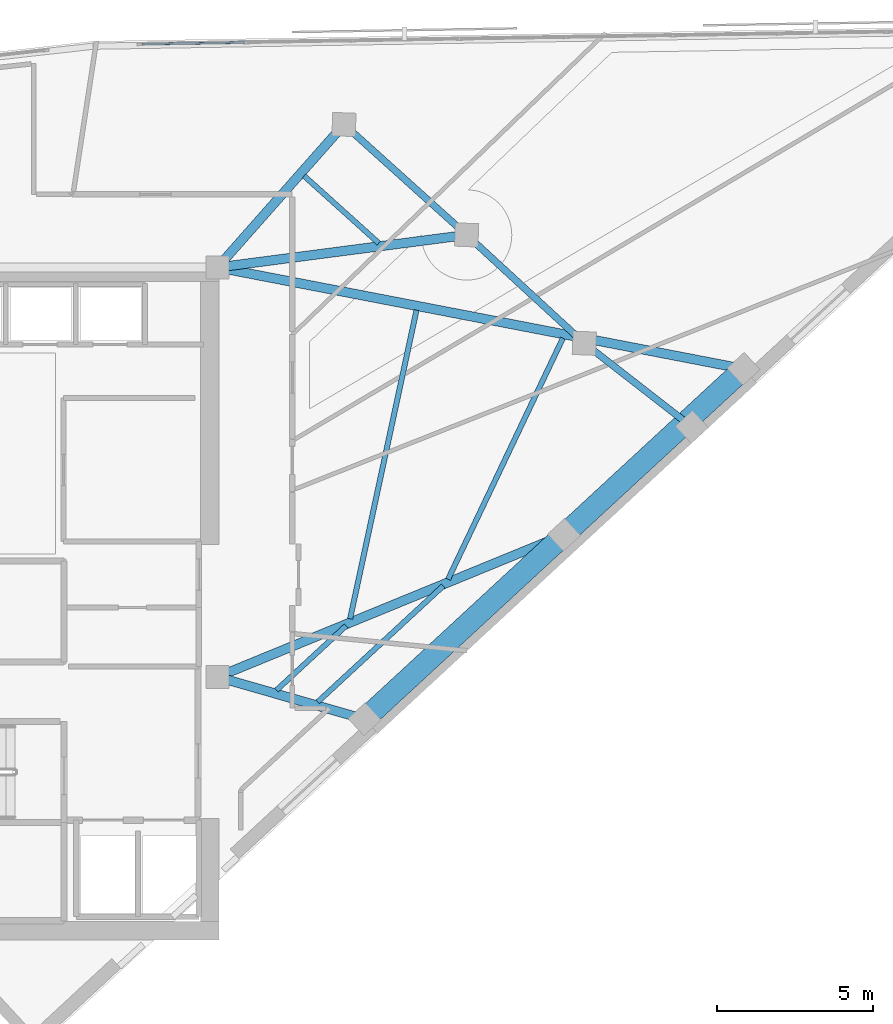
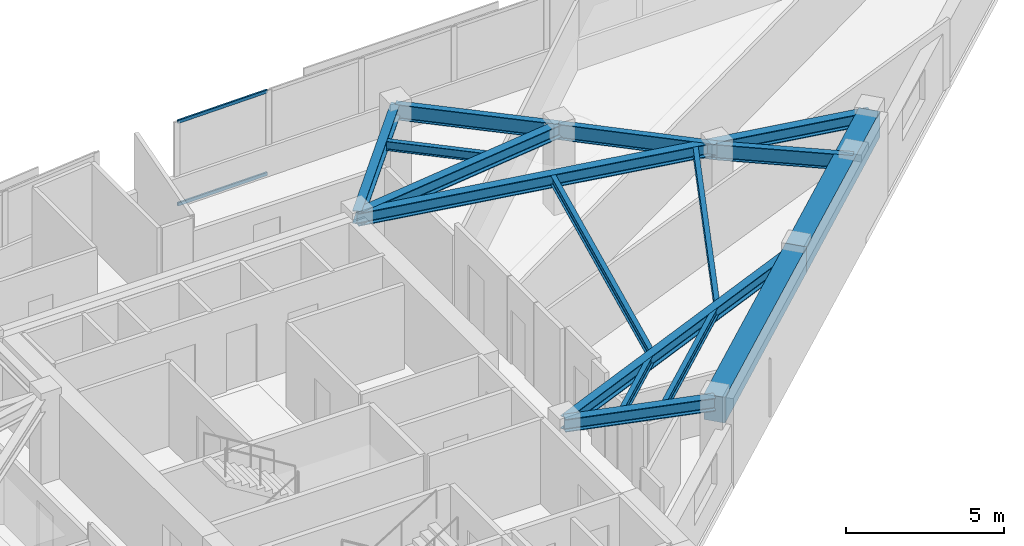
# One storey, part 4 of 13: 15 beams, 2 members, 1 element without a shape of its own.
"""IFC4 building model written with IfcOpenShell, lengths in metres."""

from ifc_helpers import new_model, si_unit, direction, frame, origin, origin_2d, place, context, subcontext, project, spatial, rectangle, hollow_rectangle, i_section, extrude, material, material_profile, profile_set, type_object, element, aggregate, save


model = new_model("IFC4")

# Units and contexts
model_context = context("Model", 3, precision=1e-05, world=origin(), true_north=direction((0.0, 1.0)))
body_context = subcontext(model_context, "Body", "Model", "MODEL_VIEW")
ifc_project = project(units=[si_unit("LENGTHUNIT", "METRE"), si_unit("AREAUNIT", "SQUARE_METRE"), si_unit("VOLUMEUNIT", "CUBIC_METRE"), si_unit("PLANEANGLEUNIT", "RADIAN"), si_unit("MASSUNIT", "GRAM", prefix="KILO")], contexts=[model_context])

# Site, building, storey
site_placement = place(None, origin())
site = spatial("IfcSite", under=ifc_project, at=site_placement, CompositionType="ELEMENT")
building_placement = place(site_placement, origin())
building = spatial("IfcBuilding", under=site, at=building_placement, Name="Narakoshi Arena Tower", CompositionType="ELEMENT")
storey_placement = place(building_placement, frame((0.0, 0.0, 274.820068359375)))
storey = spatial("IfcBuildingStorey", under=building, at=storey_placement, Name="L75", CompositionType="ELEMENT", Elevation=274.820068359375)

# Beams
ifc_material_1 = material(Name="Concrete C60/75", Category="concrete")
ifc_material_profile_1 = material_profile(ifc_material_1, rectangle(XDim=0.699951171875, YDim=1.0, at=origin_2d()), Name="RCB700x1000")
ifc_profile_set_1 = profile_set([ifc_material_profile_1], Name="Concrete C60/75")
beam_type_1 = type_object("IfcBeamType", Name="BM-CPL-1000", PredefinedType="BEAM", material=ifc_profile_set_1)
beam_1_placement = place(storey_placement, frame((90.2734375, 41.992919921875, 2.760009765625), z_axis=(0.734326819586, 0.678796082809, 0.0), x_axis=(-0.678796082809, 0.734326819586, 0.0)))
element("IfcBeam", 1, at=beam_1_placement, inside=storey, type_object=beam_type_1, Name="L75 Perimeter Edge Girder 01", PredefinedType="BEAM", context=body_context, shape_type="SweptSolid", body=[
    extrude(rectangle(XDim=0.699951171875, YDim=1.0, at=origin_2d()), origin(), (0.0, 0.0, 1.0), 8.72265625),
])
beam_2_placement = place(storey_placement, frame((96.6787109375, 47.913818359375, 2.760009765625), z_axis=(0.734333489286, 0.678788867405, 0.0), x_axis=(-0.678788867405, 0.734333489286, 0.0)))
element("IfcBeam", 2, at=beam_2_placement, inside=storey, type_object=beam_type_1, Name="L75 Perimeter Edge Girder 02", PredefinedType="BEAM", context=body_context, shape_type="SweptSolid", body=[
    extrude(rectangle(XDim=0.699951171875, YDim=1.0, at=origin_2d()), origin(), (0.0, 0.0, 1.0), 7.85009765625),
])
ifc_material_2 = material(Name="Structural steel S355J2", Category="steel")
ifc_material_profile_2 = material_profile(ifc_material_2, i_section(OverallWidth=0.219970703125, OverallDepth=0.60009765625, WebThickness=0.011962890625, FlangeThickness=0.01904296875, FilletRadius=0.02392578125, at=origin_2d()), Name="IPE600")
ifc_profile_set_2 = profile_set([ifc_material_profile_2], Name="Structural steel S355J2")
beam_type_2 = type_object("IfcBeamType", Name="BM-EDGE-600", PredefinedType="BEAM", material=ifc_profile_set_2)
beam_3_placement = place(storey_placement, frame((100.78173828125, 51.379638671875, 2.9599609375), z_axis=(-0.789307135535, 0.613998571491, 0.0), x_axis=(-0.613998571491, -0.789307135535, 0.0)))
element("IfcBeam", 3, at=beam_3_placement, inside=storey, type_object=beam_type_2, Name="L75 Perimeter Edge Girder 04", PredefinedType="BEAM", context=body_context, shape_type="SweptSolid", body=[
    extrude(i_section(OverallWidth=0.219970703125, OverallDepth=0.60009765625, WebThickness=0.011962890625, FlangeThickness=0.01904296875, FilletRadius=0.02392578125, at=origin_2d()), origin(), (0.0, 0.0, 1.0), 4.374267578125),
])
beam_4_placement = place(storey_placement, frame((97.3291015625, 54.0654296875, 2.9599609375), z_axis=(-0.735759504933, 0.677242903914, 0.0), x_axis=(-0.677242903914, -0.735759504933, 0.0)))
element("IfcBeam", 4, at=beam_4_placement, inside=storey, type_object=beam_type_2, Name="L75 Perimeter Edge Girder 05", PredefinedType="BEAM", context=body_context, shape_type="SweptSolid", body=[
    extrude(i_section(OverallWidth=0.219970703125, OverallDepth=0.60009765625, WebThickness=0.011962890625, FlangeThickness=0.01904296875, FilletRadius=0.02392578125, at=origin_2d()), origin(), (0.0, 0.0, 1.0), 5.135986328125),
])
beam_5_placement = place(storey_placement, frame((93.55029296875, 57.543701171875, 2.9599609375), z_axis=(-0.743147547665, 0.66912758305, 0.0), x_axis=(-0.66912758305, -0.743147547665, 0.0)))
element("IfcBeam", 5, at=beam_5_placement, inside=storey, type_object=beam_type_2, Name="L75 Perimeter Edge Girder 06", PredefinedType="BEAM", context=body_context, shape_type="SweptSolid", body=[
    extrude(i_section(OverallWidth=0.219970703125, OverallDepth=0.60009765625, WebThickness=0.011962890625, FlangeThickness=0.01904296875, FilletRadius=0.02392578125, at=origin_2d()), origin(), (0.0, 0.0, 1.0), 5.30029296875),
])
ifc_material_profile_3 = material_profile(ifc_material_2, i_section(OverallWidth=0.300048828125, OverallDepth=0.5, WebThickness=0.014404296875, FlangeThickness=0.028076171875, FilletRadius=0.027099609375, at=origin_2d()), Name="HE500B")
ifc_profile_set_3 = profile_set([ifc_material_profile_3], Name="Structural steel S355J2")
beam_type_3 = type_object("IfcBeamType", Name="BM-PRI-500", PredefinedType="BEAM", material=ifc_profile_set_3)
beam_6_placement = place(storey_placement, frame((85.550048828125, 43.35009765625, 3.010009765625), z_axis=(0.961112330887, -0.276157721993, 0.0), x_axis=(0.276157721993, 0.961112330887, 0.0)))
element("IfcBeam", 6, at=beam_6_placement, inside=storey, type_object=beam_type_3, Name="L75 Radial Primary Floor Girder 01", PredefinedType="BEAM", context=body_context, shape_type="SweptSolid", body=[
    extrude(i_section(OverallWidth=0.300048828125, OverallDepth=0.5, WebThickness=0.014404296875, FlangeThickness=0.028076171875, FilletRadius=0.027099609375, at=origin_2d()), origin(), (0.0, 0.0, 1.0), 4.91455078125),
])
beam_7_placement = place(storey_placement, frame((85.550048828125, 43.35009765625, 3.010009765625), z_axis=(0.925223618811, 0.379422265021, 0.0), x_axis=(-0.379422265021, 0.925223618811, 0.0)))
element("IfcBeam", 7, at=beam_7_placement, inside=storey, type_object=beam_type_3, Name="L75 Radial Primary Floor Girder 02", PredefinedType="BEAM", context=body_context, shape_type="SweptSolid", body=[
    extrude(i_section(OverallWidth=0.300048828125, OverallDepth=0.5, WebThickness=0.014404296875, FlangeThickness=0.028076171875, FilletRadius=0.027099609375, at=origin_2d()), origin(), (0.0, 0.0, 1.0), 12.028076171875),
])
beam_8_placement = place(storey_placement, frame((85.550048828125, 56.5, 3.010009765625), z_axis=(0.98191087483, -0.189343692505, 0.0), x_axis=(0.189343692505, 0.98191087483, 0.0)))
element("IfcBeam", 8, at=beam_8_placement, inside=storey, type_object=beam_type_3, Name="L75 Radial Primary Floor Girder 03", PredefinedType="BEAM", context=body_context, shape_type="SweptSolid", body=[
    extrude(i_section(OverallWidth=0.300048828125, OverallDepth=0.5, WebThickness=0.014404296875, FlangeThickness=0.028076171875, FilletRadius=0.027099609375, at=origin_2d()), origin(), (0.0, 0.0, 1.0), 17.20458984375),
])
beam_9_placement = place(storey_placement, frame((85.550048828125, 56.5, 3.010009765625), z_axis=(0.991597373641, 0.129362469783, 0.0), x_axis=(-0.129362469783, 0.991597373641, 0.0)))
element("IfcBeam", 9, at=beam_9_placement, inside=storey, type_object=beam_type_3, Name="L75 Radial Primary Floor Girder 06", PredefinedType="BEAM", context=body_context, shape_type="SweptSolid", body=[
    extrude(i_section(OverallWidth=0.300048828125, OverallDepth=0.5, WebThickness=0.014404296875, FlangeThickness=0.028076171875, FilletRadius=0.027099609375, at=origin_2d()), origin(), (0.0, 0.0, 1.0), 8.068115234375),
])
beam_10_placement = place(storey_placement, frame((85.550048828125, 56.5, 3.010009765625), z_axis=(0.662628886894, 0.748947900894, 0.0), x_axis=(-0.748947900894, 0.662628886894, 0.0)))
element("IfcBeam", 10, at=beam_10_placement, inside=storey, type_object=beam_type_3, Name="L75 Radial Primary Floor Girder 07", PredefinedType="BEAM", context=body_context, shape_type="SweptSolid", body=[
    extrude(i_section(OverallWidth=0.300048828125, OverallDepth=0.5, WebThickness=0.014404296875, FlangeThickness=0.028076171875, FilletRadius=0.027099609375, at=origin_2d()), origin(), (0.0, 0.0, 1.0), 6.129150390625),
])
ifc_material_profile_4 = material_profile(ifc_material_2, i_section(OverallWidth=0.169921875, OverallDepth=0.360107421875, WebThickness=0.008056640625, FlangeThickness=0.0126953125, FilletRadius=0.01806640625, at=origin_2d()), Name="IPE360")
ifc_profile_set_4 = profile_set([ifc_material_profile_4], Name="Structural steel S355J2")
beam_type_4 = type_object("IfcBeamType", Name="BM-SEC-360", PredefinedType="JOIST", material=ifc_profile_set_4)
beam_11_placement = place(storey_placement, frame((87.444091796875, 42.92578125, 3.079833984375), z_axis=(0.734268297495, 0.678859386982, 0.0), x_axis=(-0.678859386982, 0.734268297495, 0.0)))
element("IfcBeam", 11, at=beam_11_placement, inside=storey, type_object=beam_type_4, Name="L75 Composite Secondary Floor Joist 01", PredefinedType="JOIST", context=body_context, shape_type="SweptSolid", body=[
    extrude(i_section(OverallWidth=0.169921875, OverallDepth=0.360107421875, WebThickness=0.008056640625, FlangeThickness=0.0126953125, FilletRadius=0.01806640625, at=origin_2d()), origin(), (0.0, 0.0, 1.0), 3.044677734375),
])
beam_12_placement = place(storey_placement, frame((88.7666015625, 42.5458984375, 3.079833984375), z_axis=(0.734325629348, 0.678797370415, 0.0), x_axis=(-0.678797370415, 0.734325629348, 0.0)))
element("IfcBeam", 12, at=beam_12_placement, inside=storey, type_object=beam_type_4, Name="L75 Composite Secondary Floor Joist 02", PredefinedType="JOIST", context=body_context, shape_type="SweptSolid", body=[
    extrude(i_section(OverallWidth=0.169921875, OverallDepth=0.360107421875, WebThickness=0.008056640625, FlangeThickness=0.0126953125, FilletRadius=0.01806640625, at=origin_2d()), origin(), (0.0, 0.0, 1.0), 5.487060546875),
])
beam_13_placement = place(storey_placement, frame((89.807373046875, 45.21630859375, 3.079833984375), z_axis=(0.210415196276, 0.977612113865, 0.0), x_axis=(-0.977612113865, 0.210415196276, 0.0)))
element("IfcBeam", 13, at=beam_13_placement, inside=storey, type_object=beam_type_4, Name="L75 Composite Secondary Floor Joist 03", PredefinedType="JOIST", context=body_context, shape_type="SweptSolid", body=[
    extrude(i_section(OverallWidth=0.169921875, OverallDepth=0.360107421875, WebThickness=0.008056640625, FlangeThickness=0.0126953125, FilletRadius=0.01806640625, at=origin_2d()), origin(), (0.0, 0.0, 1.0), 10.140869140625),
])
beam_14_placement = place(storey_placement, frame((92.952880859375, 46.48388671875, 3.079833984375), z_axis=(0.430020856008, 0.902818953832, 0.0), x_axis=(-0.902818953832, 0.430020856008, 0.0)))
element("IfcBeam", 14, at=beam_14_placement, inside=storey, type_object=beam_type_4, Name="L75 Composite Secondary Floor Joist 04", PredefinedType="JOIST", context=body_context, shape_type="SweptSolid", body=[
    extrude(i_section(OverallWidth=0.169921875, OverallDepth=0.360107421875, WebThickness=0.008056640625, FlangeThickness=0.0126953125, FilletRadius=0.01806640625, at=origin_2d()), origin(), (0.0, 0.0, 1.0), 8.578125),
])
beam_15_placement = place(storey_placement, frame((90.72998046875, 57.279052734375, 3.079833984375), z_axis=(-0.743154999107, 0.669119307225, 0.0), x_axis=(-0.669119307225, -0.743154999107, 0.0)))
element("IfcBeam", 15, at=beam_15_placement, inside=storey, type_object=beam_type_4, Name="L75 Composite Secondary Floor Joist 05", PredefinedType="JOIST", context=body_context, shape_type="SweptSolid", body=[
    extrude(i_section(OverallWidth=0.169921875, OverallDepth=0.360107421875, WebThickness=0.008056640625, FlangeThickness=0.0126953125, FilletRadius=0.01806640625, at=origin_2d()), origin(), (0.0, 0.0, 1.0), 3.228271484375),
])

# Curtain wall, members
ifc_material_3 = material(Name="Anodised bronze aluminium 6063-T6", Category="aluminium")
curtain_wall_type = type_object("IfcCurtainWallType", Name="CW-HYP-HIGH", PredefinedType="NOTDEFINED", material=ifc_material_3)
curtain_wall_placement = place(storey_placement, origin())
curtain_wall = element("IfcCurtainWall", 16, at=curtain_wall_placement, inside=storey, type_object=curtain_wall_type, Name="L75 Folded Hypotenuse Curtain Wall 1-1", PredefinedType="NOTDEFINED")
ifc_material_profile_5 = material_profile(ifc_material_3, hollow_rectangle(XDim=0.06494140625, YDim=0.1298828125, WallThickness=0.00390625, OuterFilletRadius=0.0048828125, at=origin_2d()), Name="TRN130x65x4")
ifc_profile_set_5 = profile_set([ifc_material_profile_5], Name="Anodised bronze aluminium 6063-T6")
member_type = type_object("IfcMemberType", Name="MEM-TRN-130", PredefinedType="USERDEFINED", material=ifc_profile_set_5)
member_1_placement = place(storey_placement, frame((86.427978515625, 63.72314453125, 0.032470703125), z_axis=(-0.999864541825, -0.016458979318, 0.0), x_axis=(0.016458979318, -0.999864541825, 0.0)))
member_1 = element("IfcMember", 17, at=member_1_placement, type_object=member_type, Name="CW-03 transom 8.1", ObjectType="TRANSOM", PredefinedType="USERDEFINED", context=body_context, shape_type="SweptSolid", body=[
    extrude(hollow_rectangle(XDim=0.06494140625, YDim=0.1298828125, WallThickness=0.00390625, OuterFilletRadius=0.0048828125, at=origin_2d()), origin(), (0.0, 0.0, 1.0), 3.307861328125),
])
member_2_placement = place(storey_placement, frame((86.427978515625, 63.72314453125, 3.2275390625), z_axis=(-0.999864541825, -0.016458979318, 0.0), x_axis=(0.016458979318, -0.999864541825, 0.0)))
member_2 = element("IfcMember", 18, at=member_2_placement, type_object=member_type, Name="CW-03 transom 8.2", ObjectType="TRANSOM", PredefinedType="USERDEFINED", context=body_context, shape_type="SweptSolid", body=[
    extrude(hollow_rectangle(XDim=0.06494140625, YDim=0.1298828125, WallThickness=0.00390625, OuterFilletRadius=0.0048828125, at=origin_2d()), origin(), (0.0, 0.0, 1.0), 3.307861328125),
])
aggregate(curtain_wall, [member_1, member_2])

save(model, "model.ifc")
